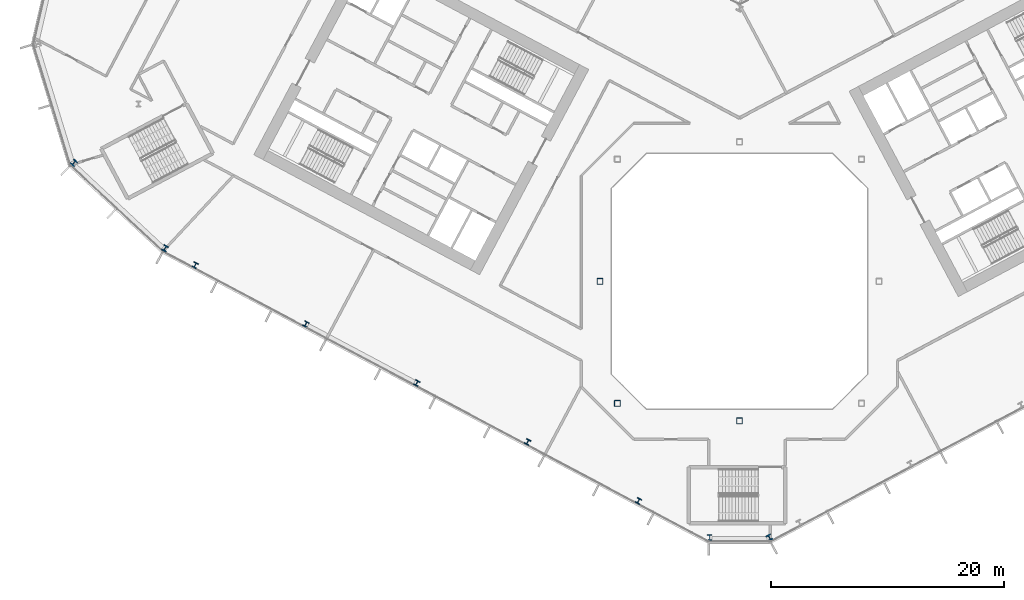
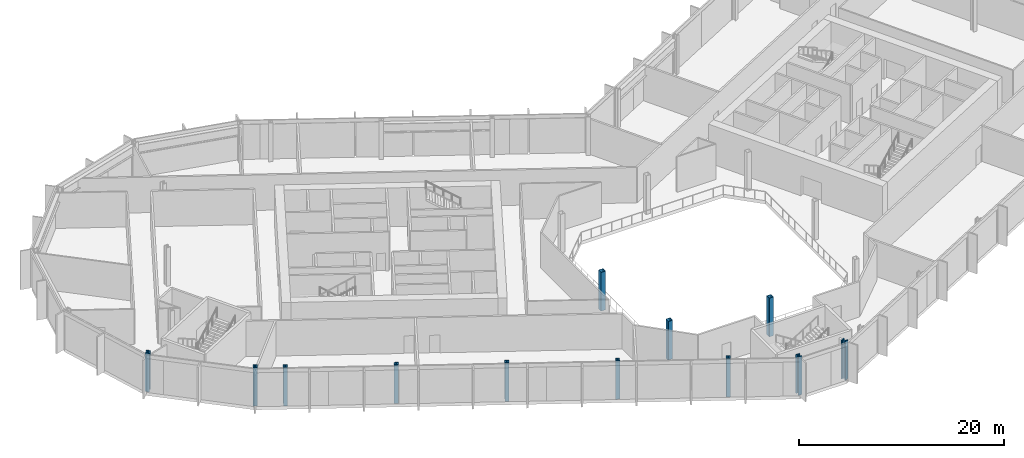
# One storey, part 1 of 32: 12 columns.
"""IFC4 building model written with IfcOpenShell, lengths in metres."""

from ifc_helpers import new_model, si_unit, direction, frame, origin, origin_2d, place, context, subcontext, project, spatial, hollow_rectangle, i_section, extrude, material, material_profile, profile_set, type_object, element, save


model = new_model("IFC4")

# Units and contexts
model_context = context("Model", 3, precision=1e-05, world=origin(), true_north=direction((0.0, 1.0)))
body_context = subcontext(model_context, "Body", "Model", "MODEL_VIEW")
ifc_project = project(units=[si_unit("LENGTHUNIT", "METRE"), si_unit("AREAUNIT", "SQUARE_METRE"), si_unit("VOLUMEUNIT", "CUBIC_METRE"), si_unit("PLANEANGLEUNIT", "RADIAN"), si_unit("MASSUNIT", "GRAM", prefix="KILO")], contexts=[model_context])

# Site, building, storey
site_placement = place(None, origin())
site = spatial("IfcSite", under=ifc_project, at=site_placement, CompositionType="ELEMENT")
building_placement = place(site_placement, origin())
building = spatial("IfcBuilding", under=site, at=building_placement, Name="Cormorant Relay Tower", CompositionType="ELEMENT")
storey_placement = place(building_placement, frame((0.0, 0.0, 70.800048828125)))
storey = spatial("IfcBuildingStorey", under=building, at=storey_placement, Name="L13", CompositionType="ELEMENT", Elevation=70.800048828125)

# Columns
ifc_material_1 = material(Name="Steel ASTM A500 Grade C (Fy 345 MPa)", Category="steel")
ifc_material_profile_1 = material_profile(ifc_material_1, hollow_rectangle(XDim=0.508056640625, YDim=0.508056640625, WallThickness=0.020751953125, InnerFilletRadius=0.01025390625, OuterFilletRadius=0.031005859375, at=origin_2d()), Name="HSS508x508x21")
ifc_profile_set_1 = profile_set([ifc_material_profile_1], Name="Steel ASTM A500 Grade C (Fy 345 MPa)")
column_type_1 = type_object("IfcColumnType", Name="Column HSS508x508x21", PredefinedType="COLUMN", material=ifc_profile_set_1)
for number, where, z_axis, x_axis, name in (
    (1, (0.0, -12.0, 0.0), (0.0, 0.0, 1.0), (1.0, 0.0, 0.0), "Column L13-007"),
    (2, (-10.5, -10.5, 0.0), (0.0, 0.0, 1.0), (1.0, 0.0, 0.0), "Column L13-009"),
    (3, (-12.0, 0.0, 0.0), (0.0, 0.0, 1.0), (1.0, 0.0, 0.0), "Column L13-015"),
):
    element("IfcColumn", number, at=place(storey_placement, frame(where, z_axis=z_axis, x_axis=x_axis)), inside=storey, type_object=column_type_1, Name=name, PredefinedType="COLUMN", context=body_context, shape_type="SweptSolid", body=[
        extrude(hollow_rectangle(XDim=0.508056640625, YDim=0.508056640625, WallThickness=0.020751953125, InnerFilletRadius=0.01025390625, OuterFilletRadius=0.031005859375, at=origin_2d()), origin(), (0.0, 0.0, 1.0), 4.599853515625),
    ])
ifc_material_2 = material(Name="Steel ASTM A992 (Fy 345 MPa)", Category="steel")
ifc_material_profile_2 = material_profile(ifc_material_2, i_section(OverallWidth=0.42431640625, OverallDepth=0.47509765625, WebThickness=0.0478515625, FlangeThickness=0.0771484375, FilletRadius=0.014892578125, at=origin_2d()), Name="W360x634")
ifc_profile_set_2 = profile_set([ifc_material_profile_2], Name="Steel ASTM A992 (Fy 345 MPa)")
column_type_2 = type_object("IfcColumnType", Name="Column W360x634", PredefinedType="COLUMN", material=ifc_profile_set_2)
for number, where, z_axis, x_axis, name in (
    (4, (-8.68701171875, -18.89306640625, 0.0), (0.0, 0.0, 1.0), (0.882947592859, -0.469471562786, 0.0), "Column L13-004"),
    (5, (-18.222900390625, -13.822998046875, 0.0), (0.0, 0.0, 1.0), (0.882947592859, -0.469471562786, 0.0), "Column L13-006"),
    (6, (-27.758056640625, -8.7529296875, 0.0), (0.0, 0.0, 1.0), (0.882947592859, -0.469471562786, 0.0), "Column L13-011"),
    (7, (-37.2939453125, -3.681884765625, 0.0), (0.0, 0.0, 1.0), (0.882947592859, -0.469471562786, 0.0), "Column L13-013"),
    (8, (-46.830078125, 1.387939453125, 0.0), (0.0, 0.0, 1.0), (0.882947592859, -0.469471562786, 0.0), "Column L13-017"),
):
    element("IfcColumn", number, at=place(storey_placement, frame(where, z_axis=z_axis, x_axis=x_axis)), inside=storey, type_object=column_type_2, Name=name, PredefinedType="COLUMN", context=body_context, shape_type="SweptSolid", body=[
        extrude(i_section(OverallWidth=0.42431640625, OverallDepth=0.47509765625, WebThickness=0.0478515625, FlangeThickness=0.0771484375, FilletRadius=0.014892578125, at=origin_2d()), origin(), (0.0, 0.0, 1.0), 4.599853515625),
    ])
ifc_material_3 = material(Name="Steel ASTM A992 (Fy 345 MPa)", Category="steel")
ifc_material_profile_3 = material_profile(ifc_material_3, i_section(OverallWidth=0.43701171875, OverallDepth=0.51318359375, WebThickness=0.060546875, FlangeThickness=0.096923828125, FilletRadius=0.015380859375, at=origin_2d()), Name="W360x818")
ifc_profile_set_3 = profile_set([ifc_material_profile_3], Name="Steel ASTM A992 (Fy 345 MPa)")
column_type_3 = type_object("IfcColumnType", Name="Column W360x818", PredefinedType="COLUMN", material=ifc_profile_set_3)
for number, where, z_axis, x_axis, name in (
    (9, (-2.56689453125, -22.0458984375, 0.0), (0.0, 0.0, 1.0), (1.0, 0.0, 0.0), "Column L13-001"),
    (10, (2.56689453125, -22.0458984375, 0.0), (0.0, 0.0, 1.0), (0.882947592859, 0.469471562786, 0.0), "Column L13-002"),
    (11, (-49.412109375, 2.8369140625, 0.0), (0.0, 0.0, 1.0), (0.882947592859, -0.469471562786, 0.0), "Column L13-018"),
    (12, (-57.2451171875, 10.18310546875, 0.0), (0.0, 0.0, 1.0), (0.731353701619, -0.681998360062, 0.0), "Column L13-021"),
):
    element("IfcColumn", number, at=place(storey_placement, frame(where, z_axis=z_axis, x_axis=x_axis)), inside=storey, type_object=column_type_3, Name=name, PredefinedType="COLUMN", context=body_context, shape_type="SweptSolid", body=[
        extrude(i_section(OverallWidth=0.43701171875, OverallDepth=0.51318359375, WebThickness=0.060546875, FlangeThickness=0.096923828125, FilletRadius=0.015380859375, at=origin_2d()), origin(), (0.0, 0.0, 1.0), 4.599853515625),
    ])

save(model, "model.ifc")
